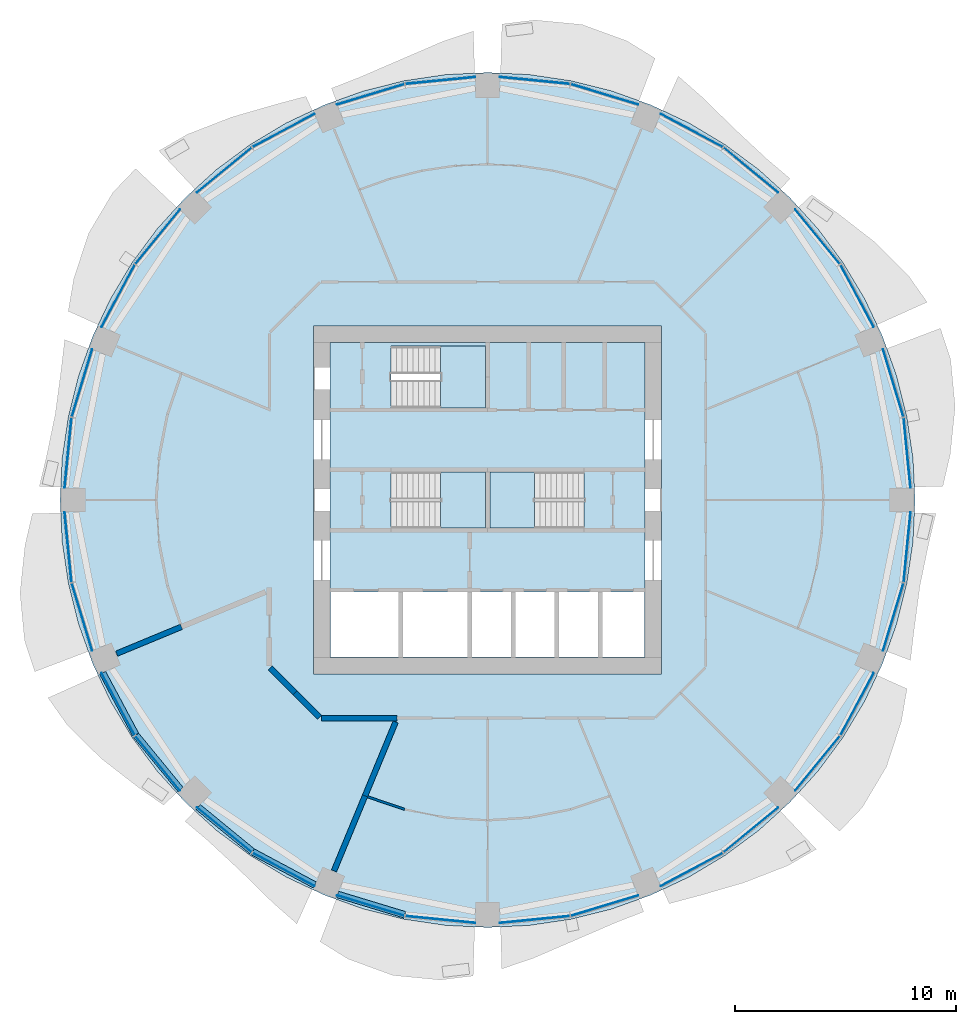
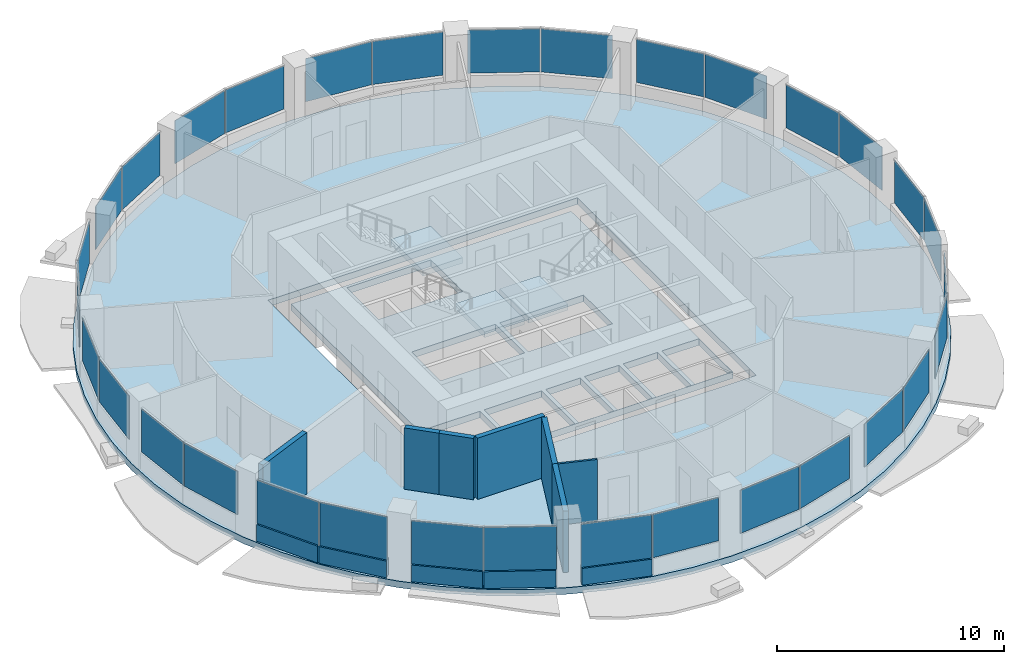
# One storey, part 7 of 15: 32 plates, 12 walls, 5 slabs, 19 elements without a shape of their own.
"""IFC4 building model written with IfcOpenShell, lengths in metres."""

from ifc_helpers import new_model, si_unit, direction, frame, frame_2d, origin, origin_2d, place, context, subcontext, project, spatial, polyline, rectangle, outline, extrude, material, layer, layer_set, type_object, element, aggregate, save


model = new_model("IFC4")

# Units and contexts
model_context = context("Model", 3, precision=1e-05, world=origin(), true_north=direction((0.0, 1.0)))
body_context = subcontext(model_context, "Body", "Model", "MODEL_VIEW")
ifc_project = project(units=[si_unit("LENGTHUNIT", "METRE"), si_unit("AREAUNIT", "SQUARE_METRE"), si_unit("VOLUMEUNIT", "CUBIC_METRE"), si_unit("PLANEANGLEUNIT", "RADIAN"), si_unit("MASSUNIT", "GRAM", prefix="KILO")], contexts=[model_context])

# Site, building, storey
site_placement = place(None, origin())
site = spatial("IfcSite", under=ifc_project, at=site_placement, CompositionType="ELEMENT")
building_placement = place(site_placement, origin())
building = spatial("IfcBuilding", under=site, at=building_placement, Name="Polderwave Tower", CompositionType="ELEMENT")
storey_placement = place(building_placement, frame((0.0, 0.0, 87.35009765625)))
storey = spatial("IfcBuildingStorey", under=building, at=storey_placement, Name="L22", CompositionType="ELEMENT", Elevation=87.35009765625)

# Slab
ifc_material_1 = material(Name="Concrete C40/50", Category="concrete")
ifc_layer_1 = layer(ifc_material_1, 0.35009765625)
ifc_layer_set_1 = layer_set([ifc_layer_1], Name="Core floor slab 350")
slab_type_1 = type_object("IfcSlabType", Name="Core floor slab 350", PredefinedType="FLOOR", material=ifc_layer_set_1)
slab_1_placement = place(storey_placement, frame((0.0, 0.0, -0.35009765625)))
element("IfcSlab", 1, at=slab_1_placement, inside=storey, type_object=slab_type_1, Name="L22 core floor", PredefinedType="FLOOR", context=body_context, shape_type="SweptSolid", body=[
    extrude(outline(polyline([(-7.1240234375, -7.1240234375), (7.1240234375, -7.1240234375), (7.1240234375, 7.1240234375), (-7.1240234375, 7.1240234375), (-7.1240234375, -7.1240234375)]), holes=[polyline([(-7.10400390625, -7.10400390625), (-4.037109375, -7.10400390625), (-4.037109375, -4.174072265625), (-7.10400390625, -4.174072265625), (-7.10400390625, -7.10400390625)]), polyline([(-3.8369140625, -7.10400390625), (-0.89990234375, -7.10400390625), (-0.89990234375, -4.174072265625), (-3.8369140625, -4.174072265625), (-3.8369140625, -7.10400390625)]), polyline([(-0.699951171875, -7.10400390625), (1.068603515625, -7.10400390625), (1.068603515625, -4.174072265625), (-0.699951171875, -4.174072265625), (-0.699951171875, -7.10400390625)]), polyline([(1.2685546875, -7.10400390625), (3.037109375, -7.10400390625), (3.037109375, -4.174072265625), (1.2685546875, -4.174072265625), (1.2685546875, -7.10400390625)]), polyline([(3.237060546875, -7.10400390625), (5.005615234375, -7.10400390625), (5.005615234375, -4.174072265625), (3.237060546875, -4.174072265625), (3.237060546875, -7.10400390625)]), polyline([(5.20556640625, -7.10400390625), (7.10400390625, -7.10400390625), (7.10400390625, -4.174072265625), (5.20556640625, -4.174072265625), (5.20556640625, -7.10400390625)]), polyline([(-4.37353515625, -1.2744140625), (-0.1005859375, -1.2744140625), (-0.1005859375, 1.2744140625), (-4.37353515625, 1.2744140625), (-4.37353515625, -1.2744140625)]), polyline([(0.1005859375, -1.2744140625), (4.37353515625, -1.2744140625), (4.37353515625, 1.2744140625), (0.1005859375, 1.2744140625), (0.1005859375, -1.2744140625)]), polyline([(-4.37353515625, 4.174560546875), (-0.1005859375, 4.174560546875), (-0.1005859375, 6.973388671875), (-4.37353515625, 6.973388671875), (-4.37353515625, 4.174560546875)])]), origin(), (0.0, 0.0, 1.0), 0.35009765625),
])

# Curtain wall, plates
ifc_material_2 = material(Name="Aluminium 6063-T6 and glass", Category="aluminium")
curtain_wall_type = type_object("IfcCurtainWallType", Name="Growing floor ribbon glazing wall", PredefinedType="NOTDEFINED", material=ifc_material_2)
curtain_wall_1_placement = place(storey_placement, origin())
curtain_wall_1 = element("IfcCurtainWall", 2, at=curtain_wall_1_placement, inside=storey, type_object=curtain_wall_type, Name="CW2 L22 00", PredefinedType="NOTDEFINED")
ifc_material_3 = material(Name="Glass, low-e laminated double glazing", Category="glass")
ifc_layer_2 = layer(ifc_material_3, 0.028076171875)
ifc_layer_set_2 = layer_set([ifc_layer_2], Name="Growing floor ribbon glazing glass panel 28 mm")
plate_type = type_object("IfcPlateType", Name="Growing floor ribbon glazing glass panel 28 mm", PredefinedType="CURTAIN_PANEL", material=ifc_layer_set_2)
plate_1_placement = place(storey_placement, frame((18.989990234375, 2.133056640625, 0.89990234375), z_axis=(0.0, 0.0, 1.0), x_axis=(-0.098084880178, 0.995178052552, 0.0)))
plate_1 = element("IfcPlate", 3, at=plate_1_placement, type_object=plate_type, Name="CW2 panel 1", PredefinedType="CURTAIN_PANEL", context=body_context, shape_type="SweptSolid", body=[
    extrude(rectangle(XDim=3.181396484375, YDim=0.028076171875, at=origin_2d()), origin(), (0.0, 0.0, 1.0), 2.320068359375),
])
plate_2_placement = place(storey_placement, frame((18.360595703125, 5.296875, 0.89990234375), z_axis=(0.0, 0.0, 1.0), x_axis=(-0.290232901375, 0.956956040244, 0.0)))
plate_2 = element("IfcPlate", 4, at=plate_2_placement, type_object=plate_type, Name="CW2 panel 2", PredefinedType="CURTAIN_PANEL", context=body_context, shape_type="SweptSolid", body=[
    extrude(rectangle(XDim=3.18115234375, YDim=0.028076171875, at=origin_2d()), origin(), (0.0, 0.0, 1.0), 2.320068359375),
])
aggregate(curtain_wall_1, [plate_1, plate_2])

curtain_wall_2_placement = place(storey_placement, origin())
curtain_wall_2 = element("IfcCurtainWall", 5, at=curtain_wall_2_placement, inside=storey, type_object=curtain_wall_type, Name="CW2 L22 01", PredefinedType="NOTDEFINED")
plate_3_placement = place(storey_placement, frame((16.72802734375, 9.23779296875, 0.89990234375), z_axis=(0.0, 0.0, 1.0), x_axis=(-0.471461383765, 0.881886706793, 0.0)))
plate_3 = element("IfcPlate", 6, at=plate_3_placement, type_object=plate_type, Name="CW2 panel 1", PredefinedType="CURTAIN_PANEL", context=body_context, shape_type="SweptSolid", body=[
    extrude(rectangle(XDim=3.181396484375, YDim=0.028076171875, at=origin_2d()), origin(), (0.0, 0.0, 1.0), 2.320068359375),
])
plate_4_placement = place(storey_placement, frame((14.93603515625, 11.919677734375, 0.89990234375), z_axis=(0.0, 0.0, 1.0), x_axis=(-0.634406775645, 0.772999380993, 0.0)))
plate_4 = element("IfcPlate", 7, at=plate_4_placement, type_object=plate_type, Name="CW2 panel 2", PredefinedType="CURTAIN_PANEL", context=body_context, shape_type="SweptSolid", body=[
    extrude(rectangle(XDim=3.180908203125, YDim=0.028076171875, at=origin_2d()), origin(), (0.0, 0.0, 1.0), 2.320068359375),
])
aggregate(curtain_wall_2, [plate_3, plate_4])

curtain_wall_3_placement = place(storey_placement, origin())
curtain_wall_3 = element("IfcCurtainWall", 8, at=curtain_wall_3_placement, inside=storey, type_object=curtain_wall_type, Name="CW2 L22 02", PredefinedType="NOTDEFINED")
plate_5_placement = place(storey_placement, frame((11.919677734375, 14.93603515625, 0.89990234375), z_axis=(0.0, 0.0, 1.0), x_axis=(-0.772999380993, 0.634406775645, 0.0)))
plate_5 = element("IfcPlate", 9, at=plate_5_placement, type_object=plate_type, Name="CW2 panel 1", PredefinedType="CURTAIN_PANEL", context=body_context, shape_type="SweptSolid", body=[
    extrude(rectangle(XDim=3.180908203125, YDim=0.028076171875, at=origin_2d()), origin(), (0.0, 0.0, 1.0), 2.320068359375),
])
plate_6_placement = place(storey_placement, frame((9.23779296875, 16.72802734375, 0.89990234375), z_axis=(0.0, 0.0, 1.0), x_axis=(-0.881886706793, 0.471461383765, 0.0)))
plate_6 = element("IfcPlate", 10, at=plate_6_placement, type_object=plate_type, Name="CW2 panel 2", PredefinedType="CURTAIN_PANEL", context=body_context, shape_type="SweptSolid", body=[
    extrude(rectangle(XDim=3.181396484375, YDim=0.028076171875, at=origin_2d()), origin(), (0.0, 0.0, 1.0), 2.320068359375),
])
aggregate(curtain_wall_3, [plate_5, plate_6])

curtain_wall_4_placement = place(storey_placement, origin())
curtain_wall_4 = element("IfcCurtainWall", 11, at=curtain_wall_4_placement, inside=storey, type_object=curtain_wall_type, Name="CW2 L22 03", PredefinedType="NOTDEFINED")
plate_7_placement = place(storey_placement, frame((5.296875, 18.360595703125, 0.89990234375), z_axis=(0.0, 0.0, 1.0), x_axis=(-0.956956040244, 0.290232901375, 0.0)))
plate_7 = element("IfcPlate", 12, at=plate_7_placement, type_object=plate_type, Name="CW2 panel 1", PredefinedType="CURTAIN_PANEL", context=body_context, shape_type="SweptSolid", body=[
    extrude(rectangle(XDim=3.18115234375, YDim=0.028076171875, at=origin_2d()), origin(), (0.0, 0.0, 1.0), 2.320068359375),
])
plate_8_placement = place(storey_placement, frame((2.133056640625, 18.989990234375, 0.89990234375), z_axis=(0.0, 0.0, 1.0), x_axis=(-0.995178052552, 0.098084880178, 0.0)))
plate_8 = element("IfcPlate", 13, at=plate_8_placement, type_object=plate_type, Name="CW2 panel 2", PredefinedType="CURTAIN_PANEL", context=body_context, shape_type="SweptSolid", body=[
    extrude(rectangle(XDim=3.181396484375, YDim=0.028076171875, at=origin_2d()), origin(), (0.0, 0.0, 1.0), 2.320068359375),
])
aggregate(curtain_wall_4, [plate_7, plate_8])

curtain_wall_5_placement = place(storey_placement, origin())
curtain_wall_5 = element("IfcCurtainWall", 14, at=curtain_wall_5_placement, inside=storey, type_object=curtain_wall_type, Name="CW2 L22 04", PredefinedType="NOTDEFINED")
plate_9_placement = place(storey_placement, frame((-2.133056640625, 18.989990234375, 0.89990234375), z_axis=(0.0, 0.0, 1.0), x_axis=(-0.995178052552, -0.098084880178, 0.0)))
plate_9 = element("IfcPlate", 15, at=plate_9_placement, type_object=plate_type, Name="CW2 panel 1", PredefinedType="CURTAIN_PANEL", context=body_context, shape_type="SweptSolid", body=[
    extrude(rectangle(XDim=3.181396484375, YDim=0.028076171875, at=origin_2d()), origin(), (0.0, 0.0, 1.0), 2.320068359375),
])
plate_10_placement = place(storey_placement, frame((-5.296875, 18.360595703125, 0.89990234375), z_axis=(0.0, 0.0, 1.0), x_axis=(-0.956956040244, -0.290232901375, 0.0)))
plate_10 = element("IfcPlate", 16, at=plate_10_placement, type_object=plate_type, Name="CW2 panel 2", PredefinedType="CURTAIN_PANEL", context=body_context, shape_type="SweptSolid", body=[
    extrude(rectangle(XDim=3.18115234375, YDim=0.028076171875, at=origin_2d()), origin(), (0.0, 0.0, 1.0), 2.320068359375),
])
aggregate(curtain_wall_5, [plate_9, plate_10])

curtain_wall_6_placement = place(storey_placement, origin())
curtain_wall_6 = element("IfcCurtainWall", 17, at=curtain_wall_6_placement, inside=storey, type_object=curtain_wall_type, Name="CW2 L22 05", PredefinedType="NOTDEFINED")
plate_11_placement = place(storey_placement, frame((-9.23779296875, 16.72802734375, 0.89990234375), z_axis=(0.0, 0.0, 1.0), x_axis=(-0.881886706793, -0.471461383765, 0.0)))
plate_11 = element("IfcPlate", 18, at=plate_11_placement, type_object=plate_type, Name="CW2 panel 1", PredefinedType="CURTAIN_PANEL", context=body_context, shape_type="SweptSolid", body=[
    extrude(rectangle(XDim=3.181396484375, YDim=0.028076171875, at=origin_2d()), origin(), (0.0, 0.0, 1.0), 2.320068359375),
])
plate_12_placement = place(storey_placement, frame((-11.919677734375, 14.93603515625, 0.89990234375), z_axis=(0.0, 0.0, 1.0), x_axis=(-0.772999380993, -0.634406775645, 0.0)))
plate_12 = element("IfcPlate", 19, at=plate_12_placement, type_object=plate_type, Name="CW2 panel 2", PredefinedType="CURTAIN_PANEL", context=body_context, shape_type="SweptSolid", body=[
    extrude(rectangle(XDim=3.180908203125, YDim=0.028076171875, at=origin_2d()), origin(), (0.0, 0.0, 1.0), 2.320068359375),
])
aggregate(curtain_wall_6, [plate_11, plate_12])

curtain_wall_7_placement = place(storey_placement, origin())
curtain_wall_7 = element("IfcCurtainWall", 20, at=curtain_wall_7_placement, inside=storey, type_object=curtain_wall_type, Name="CW2 L22 06", PredefinedType="NOTDEFINED")
plate_13_placement = place(storey_placement, frame((-14.93603515625, 11.919677734375, 0.89990234375), z_axis=(0.0, 0.0, 1.0), x_axis=(-0.634406775645, -0.772999380993, 0.0)))
plate_13 = element("IfcPlate", 21, at=plate_13_placement, type_object=plate_type, Name="CW2 panel 1", PredefinedType="CURTAIN_PANEL", context=body_context, shape_type="SweptSolid", body=[
    extrude(rectangle(XDim=3.180908203125, YDim=0.028076171875, at=origin_2d()), origin(), (0.0, 0.0, 1.0), 2.320068359375),
])
plate_14_placement = place(storey_placement, frame((-16.72802734375, 9.23779296875, 0.89990234375), z_axis=(0.0, 0.0, 1.0), x_axis=(-0.471461383765, -0.881886706793, 0.0)))
plate_14 = element("IfcPlate", 22, at=plate_14_placement, type_object=plate_type, Name="CW2 panel 2", PredefinedType="CURTAIN_PANEL", context=body_context, shape_type="SweptSolid", body=[
    extrude(rectangle(XDim=3.181396484375, YDim=0.028076171875, at=origin_2d()), origin(), (0.0, 0.0, 1.0), 2.320068359375),
])
aggregate(curtain_wall_7, [plate_13, plate_14])

curtain_wall_8_placement = place(storey_placement, origin())
curtain_wall_8 = element("IfcCurtainWall", 23, at=curtain_wall_8_placement, inside=storey, type_object=curtain_wall_type, Name="CW2 L22 07", PredefinedType="NOTDEFINED")
plate_15_placement = place(storey_placement, frame((-18.360595703125, 5.296875, 0.89990234375), z_axis=(0.0, 0.0, 1.0), x_axis=(-0.290232901375, -0.956956040244, 0.0)))
plate_15 = element("IfcPlate", 24, at=plate_15_placement, type_object=plate_type, Name="CW2 panel 1", PredefinedType="CURTAIN_PANEL", context=body_context, shape_type="SweptSolid", body=[
    extrude(rectangle(XDim=3.18115234375, YDim=0.028076171875, at=origin_2d()), origin(), (0.0, 0.0, 1.0), 2.320068359375),
])
plate_16_placement = place(storey_placement, frame((-18.989990234375, 2.133056640625, 0.89990234375), z_axis=(0.0, 0.0, 1.0), x_axis=(-0.098084880178, -0.995178052552, 0.0)))
plate_16 = element("IfcPlate", 25, at=plate_16_placement, type_object=plate_type, Name="CW2 panel 2", PredefinedType="CURTAIN_PANEL", context=body_context, shape_type="SweptSolid", body=[
    extrude(rectangle(XDim=3.181396484375, YDim=0.028076171875, at=origin_2d()), origin(), (0.0, 0.0, 1.0), 2.320068359375),
])
aggregate(curtain_wall_8, [plate_15, plate_16])

curtain_wall_9_placement = place(storey_placement, origin())
curtain_wall_9 = element("IfcCurtainWall", 26, at=curtain_wall_9_placement, inside=storey, type_object=curtain_wall_type, Name="CW2 L22 08", PredefinedType="NOTDEFINED")
plate_17_placement = place(storey_placement, frame((-18.989990234375, -2.133056640625, 0.89990234375), z_axis=(0.0, 0.0, 1.0), x_axis=(0.098084880178, -0.995178052552, 0.0)))
plate_17 = element("IfcPlate", 27, at=plate_17_placement, type_object=plate_type, Name="CW2 panel 1", PredefinedType="CURTAIN_PANEL", context=body_context, shape_type="SweptSolid", body=[
    extrude(rectangle(XDim=3.181396484375, YDim=0.028076171875, at=origin_2d()), origin(), (0.0, 0.0, 1.0), 2.320068359375),
])
plate_18_placement = place(storey_placement, frame((-18.360595703125, -5.296875, 0.89990234375), z_axis=(0.0, 0.0, 1.0), x_axis=(0.290232901375, -0.956956040244, 0.0)))
plate_18 = element("IfcPlate", 28, at=plate_18_placement, type_object=plate_type, Name="CW2 panel 2", PredefinedType="CURTAIN_PANEL", context=body_context, shape_type="SweptSolid", body=[
    extrude(rectangle(XDim=3.18115234375, YDim=0.028076171875, at=origin_2d()), origin(), (0.0, 0.0, 1.0), 2.320068359375),
])
aggregate(curtain_wall_9, [plate_17, plate_18])

curtain_wall_10_placement = place(storey_placement, origin())
curtain_wall_10 = element("IfcCurtainWall", 29, at=curtain_wall_10_placement, inside=storey, type_object=curtain_wall_type, Name="CW2 L22 09", PredefinedType="NOTDEFINED")
plate_19_placement = place(storey_placement, frame((-16.72802734375, -9.23779296875, 0.89990234375), z_axis=(0.0, 0.0, 1.0), x_axis=(0.471461383765, -0.881886706793, 0.0)))
plate_19 = element("IfcPlate", 30, at=plate_19_placement, type_object=plate_type, Name="CW2 panel 1", PredefinedType="CURTAIN_PANEL", context=body_context, shape_type="SweptSolid", body=[
    extrude(rectangle(XDim=3.181396484375, YDim=0.028076171875, at=origin_2d()), origin(), (0.0, 0.0, 1.0), 2.320068359375),
])
plate_20_placement = place(storey_placement, frame((-14.93603515625, -11.919677734375, 0.89990234375), z_axis=(0.0, 0.0, 1.0), x_axis=(0.634406775645, -0.772999380993, 0.0)))
plate_20 = element("IfcPlate", 31, at=plate_20_placement, type_object=plate_type, Name="CW2 panel 2", PredefinedType="CURTAIN_PANEL", context=body_context, shape_type="SweptSolid", body=[
    extrude(rectangle(XDim=3.180908203125, YDim=0.028076171875, at=origin_2d()), origin(), (0.0, 0.0, 1.0), 2.320068359375),
])
aggregate(curtain_wall_10, [plate_19, plate_20])

curtain_wall_11_placement = place(storey_placement, origin())
curtain_wall_11 = element("IfcCurtainWall", 32, at=curtain_wall_11_placement, inside=storey, type_object=curtain_wall_type, Name="CW2 L22 10", PredefinedType="NOTDEFINED")
plate_21_placement = place(storey_placement, frame((-11.919677734375, -14.93603515625, 0.89990234375), z_axis=(0.0, 0.0, 1.0), x_axis=(0.772999380993, -0.634406775645, 0.0)))
plate_21 = element("IfcPlate", 33, at=plate_21_placement, type_object=plate_type, Name="CW2 panel 1", PredefinedType="CURTAIN_PANEL", context=body_context, shape_type="SweptSolid", body=[
    extrude(rectangle(XDim=3.180908203125, YDim=0.028076171875, at=origin_2d()), origin(), (0.0, 0.0, 1.0), 2.320068359375),
])
plate_22_placement = place(storey_placement, frame((-9.23779296875, -16.72802734375, 0.89990234375), z_axis=(0.0, 0.0, 1.0), x_axis=(0.881886706793, -0.471461383765, 0.0)))
plate_22 = element("IfcPlate", 34, at=plate_22_placement, type_object=plate_type, Name="CW2 panel 2", PredefinedType="CURTAIN_PANEL", context=body_context, shape_type="SweptSolid", body=[
    extrude(rectangle(XDim=3.181396484375, YDim=0.028076171875, at=origin_2d()), origin(), (0.0, 0.0, 1.0), 2.320068359375),
])
aggregate(curtain_wall_11, [plate_21, plate_22])

curtain_wall_12_placement = place(storey_placement, origin())
curtain_wall_12 = element("IfcCurtainWall", 35, at=curtain_wall_12_placement, inside=storey, type_object=curtain_wall_type, Name="CW2 L22 11", PredefinedType="NOTDEFINED")
plate_23_placement = place(storey_placement, frame((-5.296875, -18.360595703125, 0.89990234375), z_axis=(0.0, 0.0, 1.0), x_axis=(0.956956040244, -0.290232901375, 0.0)))
plate_23 = element("IfcPlate", 36, at=plate_23_placement, type_object=plate_type, Name="CW2 panel 1", PredefinedType="CURTAIN_PANEL", context=body_context, shape_type="SweptSolid", body=[
    extrude(rectangle(XDim=3.18115234375, YDim=0.028076171875, at=origin_2d()), origin(), (0.0, 0.0, 1.0), 2.320068359375),
])
plate_24_placement = place(storey_placement, frame((-2.133056640625, -18.989990234375, 0.89990234375), z_axis=(0.0, 0.0, 1.0), x_axis=(0.995178052552, -0.098084880178, 0.0)))
plate_24 = element("IfcPlate", 37, at=plate_24_placement, type_object=plate_type, Name="CW2 panel 2", PredefinedType="CURTAIN_PANEL", context=body_context, shape_type="SweptSolid", body=[
    extrude(rectangle(XDim=3.181396484375, YDim=0.028076171875, at=origin_2d()), origin(), (0.0, 0.0, 1.0), 2.320068359375),
])
aggregate(curtain_wall_12, [plate_23, plate_24])

curtain_wall_13_placement = place(storey_placement, origin())
curtain_wall_13 = element("IfcCurtainWall", 38, at=curtain_wall_13_placement, inside=storey, type_object=curtain_wall_type, Name="CW2 L22 12", PredefinedType="NOTDEFINED")
plate_25_placement = place(storey_placement, frame((2.133056640625, -18.989990234375, 0.89990234375), z_axis=(0.0, 0.0, 1.0), x_axis=(0.995178052552, 0.098084880178, 0.0)))
plate_25 = element("IfcPlate", 39, at=plate_25_placement, type_object=plate_type, Name="CW2 panel 1", PredefinedType="CURTAIN_PANEL", context=body_context, shape_type="SweptSolid", body=[
    extrude(rectangle(XDim=3.181396484375, YDim=0.028076171875, at=origin_2d()), origin(), (0.0, 0.0, 1.0), 2.320068359375),
])
plate_26_placement = place(storey_placement, frame((5.296875, -18.360595703125, 0.89990234375), z_axis=(0.0, 0.0, 1.0), x_axis=(0.956956040244, 0.290232901375, 0.0)))
plate_26 = element("IfcPlate", 40, at=plate_26_placement, type_object=plate_type, Name="CW2 panel 2", PredefinedType="CURTAIN_PANEL", context=body_context, shape_type="SweptSolid", body=[
    extrude(rectangle(XDim=3.18115234375, YDim=0.028076171875, at=origin_2d()), origin(), (0.0, 0.0, 1.0), 2.320068359375),
])
aggregate(curtain_wall_13, [plate_25, plate_26])

curtain_wall_14_placement = place(storey_placement, origin())
curtain_wall_14 = element("IfcCurtainWall", 41, at=curtain_wall_14_placement, inside=storey, type_object=curtain_wall_type, Name="CW2 L22 13", PredefinedType="NOTDEFINED")
plate_27_placement = place(storey_placement, frame((9.23779296875, -16.72802734375, 0.89990234375), z_axis=(0.0, 0.0, 1.0), x_axis=(0.881886706793, 0.471461383765, 0.0)))
plate_27 = element("IfcPlate", 42, at=plate_27_placement, type_object=plate_type, Name="CW2 panel 1", PredefinedType="CURTAIN_PANEL", context=body_context, shape_type="SweptSolid", body=[
    extrude(rectangle(XDim=3.181396484375, YDim=0.028076171875, at=origin_2d()), origin(), (0.0, 0.0, 1.0), 2.320068359375),
])
plate_28_placement = place(storey_placement, frame((11.919677734375, -14.93603515625, 0.89990234375), z_axis=(0.0, 0.0, 1.0), x_axis=(0.772999380993, 0.634406775645, 0.0)))
plate_28 = element("IfcPlate", 43, at=plate_28_placement, type_object=plate_type, Name="CW2 panel 2", PredefinedType="CURTAIN_PANEL", context=body_context, shape_type="SweptSolid", body=[
    extrude(rectangle(XDim=3.180908203125, YDim=0.028076171875, at=origin_2d()), origin(), (0.0, 0.0, 1.0), 2.320068359375),
])
aggregate(curtain_wall_14, [plate_27, plate_28])

curtain_wall_15_placement = place(storey_placement, origin())
curtain_wall_15 = element("IfcCurtainWall", 44, at=curtain_wall_15_placement, inside=storey, type_object=curtain_wall_type, Name="CW2 L22 14", PredefinedType="NOTDEFINED")
plate_29_placement = place(storey_placement, frame((14.93603515625, -11.919677734375, 0.89990234375), z_axis=(0.0, 0.0, 1.0), x_axis=(0.634406775645, 0.772999380993, 0.0)))
plate_29 = element("IfcPlate", 45, at=plate_29_placement, type_object=plate_type, Name="CW2 panel 1", PredefinedType="CURTAIN_PANEL", context=body_context, shape_type="SweptSolid", body=[
    extrude(rectangle(XDim=3.180908203125, YDim=0.028076171875, at=origin_2d()), origin(), (0.0, 0.0, 1.0), 2.320068359375),
])
plate_30_placement = place(storey_placement, frame((16.72802734375, -9.23779296875, 0.89990234375), z_axis=(0.0, 0.0, 1.0), x_axis=(0.471461383765, 0.881886706793, 0.0)))
plate_30 = element("IfcPlate", 46, at=plate_30_placement, type_object=plate_type, Name="CW2 panel 2", PredefinedType="CURTAIN_PANEL", context=body_context, shape_type="SweptSolid", body=[
    extrude(rectangle(XDim=3.181396484375, YDim=0.028076171875, at=origin_2d()), origin(), (0.0, 0.0, 1.0), 2.320068359375),
])
aggregate(curtain_wall_15, [plate_29, plate_30])

curtain_wall_16_placement = place(storey_placement, origin())
curtain_wall_16 = element("IfcCurtainWall", 47, at=curtain_wall_16_placement, inside=storey, type_object=curtain_wall_type, Name="CW2 L22 15", PredefinedType="NOTDEFINED")
plate_31_placement = place(storey_placement, frame((18.360595703125, -5.296875, 0.89990234375), z_axis=(0.0, 0.0, 1.0), x_axis=(0.290232901375, 0.956956040244, 0.0)))
plate_31 = element("IfcPlate", 48, at=plate_31_placement, type_object=plate_type, Name="CW2 panel 1", PredefinedType="CURTAIN_PANEL", context=body_context, shape_type="SweptSolid", body=[
    extrude(rectangle(XDim=3.18115234375, YDim=0.028076171875, at=origin_2d()), origin(), (0.0, 0.0, 1.0), 2.320068359375),
])
plate_32_placement = place(storey_placement, frame((18.989990234375, -2.133056640625, 0.89990234375), z_axis=(0.0, 0.0, 1.0), x_axis=(0.098084880178, 0.995178052552, 0.0)))
plate_32 = element("IfcPlate", 49, at=plate_32_placement, type_object=plate_type, Name="CW2 panel 2", PredefinedType="CURTAIN_PANEL", context=body_context, shape_type="SweptSolid", body=[
    extrude(rectangle(XDim=3.181396484375, YDim=0.028076171875, at=origin_2d()), origin(), (0.0, 0.0, 1.0), 2.320068359375),
])
aggregate(curtain_wall_16, [plate_31, plate_32])

# Slab
ifc_layer_3 = layer(ifc_material_1, 0.35009765625)
ifc_layer_set_3 = layer_set([ifc_layer_3], Name="PT FLOOR SLAB 350 C40/50")
slab_type_2 = type_object("IfcSlabType", Name="PT FLOOR SLAB 350 C40/50", PredefinedType="FLOOR", material=ifc_layer_set_3)
slab_2_placement = place(storey_placement, frame((0.0, 0.0, -0.35009765625)))
element("IfcSlab", 50, at=slab_2_placement, inside=storey, type_object=slab_type_2, Name="ST-SLAB-L22", PredefinedType="FLOOR", context=body_context, shape_type="SweptSolid", body=[
    extrude(outline(polyline([(19.35009765625, 0.0), (19.2568359375, 1.896484375), (18.978271484375, 3.77490234375), (18.516845703125, 5.616943359375), (17.877197265625, 7.40478515625), (17.065185546875, 9.12158203125), (16.0888671875, 10.750244140625), (14.957763671875, 12.275390625), (13.6826171875, 13.6826171875), (12.275390625, 14.957763671875), (10.750244140625, 16.0888671875), (9.12158203125, 17.065185546875), (7.40478515625, 17.877197265625), (5.616943359375, 18.516845703125), (3.77490234375, 18.978271484375), (1.896484375, 19.2568359375), (0.0, 19.35009765625), (-1.896484375, 19.2568359375), (-3.77490234375, 18.978271484375), (-5.616943359375, 18.516845703125), (-7.40478515625, 17.877197265625), (-9.12158203125, 17.065185546875), (-10.750244140625, 16.0888671875), (-12.275390625, 14.957763671875), (-13.6826171875, 13.6826171875), (-14.957763671875, 12.275390625), (-16.0888671875, 10.750244140625), (-17.065185546875, 9.12158203125), (-17.877197265625, 7.40478515625), (-18.516845703125, 5.616943359375), (-18.978271484375, 3.77490234375), (-19.2568359375, 1.896484375), (-19.35009765625, 0.0), (-19.2568359375, -1.896484375), (-18.978271484375, -3.77490234375), (-18.516845703125, -5.616943359375), (-17.877197265625, -7.40478515625), (-17.065185546875, -9.12158203125), (-16.0888671875, -10.750244140625), (-14.957763671875, -12.275390625), (-13.6826171875, -13.6826171875), (-12.275390625, -14.957763671875), (-10.750244140625, -16.0888671875), (-9.12158203125, -17.065185546875), (-7.40478515625, -17.877197265625), (-5.616943359375, -18.516845703125), (-3.77490234375, -18.978271484375), (-1.896484375, -19.2568359375), (0.0, -19.35009765625), (1.896484375, -19.2568359375), (3.77490234375, -18.978271484375), (5.616943359375, -18.516845703125), (7.40478515625, -17.877197265625), (9.12158203125, -17.065185546875), (10.750244140625, -16.0888671875), (12.275390625, -14.957763671875), (13.6826171875, -13.6826171875), (14.957763671875, -12.275390625), (16.0888671875, -10.750244140625), (17.065185546875, -9.12158203125), (17.877197265625, -7.40478515625), (18.516845703125, -5.616943359375), (18.978271484375, -3.77490234375), (19.2568359375, -1.896484375), (19.35009765625, 0.0)]), holes=[polyline([(-7.8740234375, -7.8740234375), (7.8740234375, -7.8740234375), (7.8740234375, 7.8740234375), (-7.8740234375, 7.8740234375), (-7.8740234375, -7.8740234375)])]), origin(), (0.0, 0.0, 1.0), 0.35009765625),
])

# Stair, slab
stair_type = type_object("IfcStairType", Name="Exit stair 1200 x 20 risers", PredefinedType="HALF_TURN_STAIR", material=ifc_material_1)
stair_1_placement = place(storey_placement, origin())
stair_1 = element("IfcStair", 51, at=stair_1_placement, inside=storey, type_object=stair_type, Name="L22 Exit stair A", PredefinedType="HALF_TURN_STAIR")
ifc_layer_4 = layer(ifc_material_1, 0.300048828125)
ifc_layer_set_4 = layer_set([ifc_layer_4], Name="Stair landing 300")
slab_type_3 = type_object("IfcSlabType", Name="Stair landing 300", PredefinedType="LANDING", material=ifc_layer_set_4)
slab_3_placement = place(storey_placement, frame((0.0, 0.0, 1.52490234375)))
slab_3 = element("IfcSlab", 52, at=slab_3_placement, type_object=slab_type_3, Name="ST-A landing 1", PredefinedType="LANDING", context=body_context, shape_type="SweptSolid", body=[
    extrude(outline(polyline([(-2.1240234375, -1.27490234375), (-0.10009765625, -1.27490234375), (-0.10009765625, 1.27490234375), (-2.1240234375, 1.27490234375), (-2.1240234375, -1.27490234375)])), origin(), (0.0, 0.0, 1.0), 0.300048828125),
])
aggregate(stair_1, [slab_3])

stair_2_placement = place(storey_placement, origin())
stair_2 = element("IfcStair", 53, at=stair_2_placement, inside=storey, type_object=stair_type, Name="L22 Exit stair B", PredefinedType="HALF_TURN_STAIR")
slab_4_placement = place(storey_placement, frame((0.0, 0.0, 1.52490234375)))
slab_4 = element("IfcSlab", 54, at=slab_4_placement, type_object=slab_type_3, Name="ST-B landing 1", PredefinedType="LANDING", context=body_context, shape_type="SweptSolid", body=[
    extrude(outline(polyline([(2.1240234375, 1.27490234375), (0.10009765625, 1.27490234375), (0.10009765625, -1.27490234375), (2.1240234375, -1.27490234375), (2.1240234375, 1.27490234375)])), origin(), (0.0, 0.0, 1.0), 0.300048828125),
])
aggregate(stair_2, [slab_4])

stair_3_placement = place(storey_placement, origin())
stair_3 = element("IfcStair", 55, at=stair_3_placement, inside=storey, type_object=stair_type, Name="L22 Exit stair C", PredefinedType="HALF_TURN_STAIR")
slab_5_placement = place(storey_placement, frame((0.0, 0.0, 1.52490234375)))
slab_5 = element("IfcSlab", 56, at=slab_5_placement, type_object=slab_type_3, Name="ST-C landing 1", PredefinedType="LANDING", context=body_context, shape_type="SweptSolid", body=[
    extrude(outline(polyline([(-2.1240234375, 4.174072265625), (-0.10009765625, 4.174072265625), (-0.10009765625, 6.97412109375), (-2.1240234375, 6.97412109375), (-2.1240234375, 4.174072265625)])), origin(), (0.0, 0.0, 1.0), 0.300048828125),
])
aggregate(stair_3, [slab_5])

# Walls
ifc_material_4 = material(Name="Concrete C50/60 (board-marked)", Category="concrete")
ifc_layer_5 = layer(ifc_material_4, 0.300048828125)
ifc_layer_set_5 = layer_set([ifc_layer_5], Name="Concrete spandrel upstand C50/60")
wall_type_1 = type_object("IfcWallType", Name="Concrete spandrel upstand C50/60", PredefinedType="SOLIDWALL", material=ifc_layer_set_5)
wall_1_placement = place(storey_placement, frame((-17.4248046875, -7.828125, 0.0), z_axis=(0.0, 0.0, 1.0), x_axis=(0.471458802606, -0.88188808669, 0.0)))
element("IfcWall", 57, at=wall_1_placement, inside=storey, type_object=wall_type_1, Name="Spandrel L22 10a", PredefinedType="SOLIDWALL", context=body_context, shape_type="SweptSolid", body=[
    extrude(rectangle(XDim=3.17236328125, YDim=0.300048828125, at=frame_2d((1.586181640625, 0.0))), origin(), (0.0, 0.0, 1.0), 0.89990234375),
])
for number, where, z_axis, x_axis, name in (
    (58, (-15.91259765625, -10.650634765625, 0.0), (0.0, 0.0, 1.0), (0.634238779555, -0.773137226182, 0.0), "Spandrel L22 10b"),
    (59, (-13.103515625, -13.900390625, 0.0), (0.0, 0.0, 1.0), (0.773137226182, -0.634238779555, 0.0), "Spandrel L22 11a"),
):
    element("IfcWall", number, at=place(storey_placement, frame(where, z_axis=z_axis, x_axis=x_axis)), inside=storey, type_object=wall_type_1, Name=name, PredefinedType="SOLIDWALL", context=body_context, shape_type="SweptSolid", body=[
        extrude(rectangle(XDim=3.172607421875, YDim=0.300048828125, at=frame_2d((1.58642578125, 0.0))), origin(), (0.0, 0.0, 1.0), 0.89990234375),
    ])
wall_2_placement = place(storey_placement, frame((-10.625732421875, -15.92919921875, 0.0), z_axis=(0.0, 0.0, 1.0), x_axis=(0.88188808669, -0.471458802606, 0.0)))
element("IfcWall", 60, at=wall_2_placement, inside=storey, type_object=wall_type_1, Name="Spandrel L22 11b", PredefinedType="SOLIDWALL", context=body_context, shape_type="SweptSolid", body=[
    extrude(rectangle(XDim=3.17236328125, YDim=0.300048828125, at=frame_2d((1.586181640625, 0.0))), origin(), (0.0, 0.0, 1.0), 0.89990234375),
])
wall_3_placement = place(storey_placement, frame((-6.78662109375, -17.8564453125, 0.0), z_axis=(0.0, 0.0, 1.0), x_axis=(0.956927923582, -0.290325591482, 0.0)))
element("IfcWall", 61, at=wall_3_placement, inside=storey, type_object=wall_type_1, Name="Spandrel L22 12a", PredefinedType="SOLIDWALL", context=body_context, shape_type="SweptSolid", body=[
    extrude(rectangle(XDim=3.1728515625, YDim=0.300048828125, at=frame_2d((1.58642578125, 0.0))), origin(), (0.0, 0.0, 1.0), 0.89990234375),
])
ifc_material_5 = material(Name="Plasterboard on steel studs", Category="steel")
ifc_layer_6 = layer(ifc_material_5, 0.10009765625)
ifc_layer_set_6 = layer_set([ifc_layer_6], Name="Partition 100 mm plasterboard on steel studs")
wall_type_2 = type_object("IfcWallType", Name="Partition 100 mm plasterboard on steel studs", PredefinedType="PARTITIONING", material=ifc_layer_set_6)
wall_4_placement = place(storey_placement, frame((-3.756103515625, -14.0048828125, 0.0), z_axis=(0.0, 0.0, 1.0), x_axis=(-0.946911786272, 0.321493497633, 0.0)))
element("IfcWall", 62, at=wall_4_placement, inside=storey, type_object=wall_type_2, Name="IN-L22-W057", PredefinedType="PARTITIONING", context=body_context, shape_type="SweptSolid", body=[
    extrude(rectangle(XDim=1.764892578125, YDim=0.10009765625, at=frame_2d((0.88232421875, 0.0))), origin(), (0.0, 0.0, 1.0), 3.2998046875),
])
ifc_material_6 = material(Name="Fire-resisting board on steel studs, mineral wool", Category="steel")
ifc_layer_7 = layer(ifc_material_6, 0.25)
ifc_layer_set_7 = layer_set([ifc_layer_7], Name="Plant room wall 250 mm EI 120")
wall_type_3 = type_object("IfcWallType", Name="Plant room wall 250 mm EI 120", PredefinedType="PARTITIONING", material=ifc_layer_set_7)
for number, where, z_axis, x_axis, name in (
    (63, (-8.722412109375, -8.722412109375, 0.0), (0.0, 0.0, 1.0), (-0.707184200224, 0.707029353672, 0.0), "IN-L22-W015"),
    (64, (-7.607666015625, -9.83740234375, 0.0), (0.0, 0.0, 1.0), (-0.707029353672, 0.707184200224, 0.0), "IN-L22-W016"),
):
    element("IfcWall", number, at=place(storey_placement, frame(where, z_axis=z_axis, x_axis=x_axis)), inside=storey, type_object=wall_type_3, Name=name, PredefinedType="PARTITIONING", context=body_context, shape_type="SweptSolid", body=[
        extrude(rectangle(XDim=1.57666015625, YDim=0.25, at=frame_2d((0.788330078125, 0.0))), origin(), (0.0, 0.0, 1.0), 3.2998046875),
    ])
wall_5_placement = place(storey_placement, frame((-4.08984375, -9.8740234375, 0.0), z_axis=(0.0, 0.0, 1.0), x_axis=(-1.0, 0.0, 0.0)))
element("IfcWall", 65, at=wall_5_placement, inside=storey, type_object=wall_type_3, Name="IN-L22-W017", PredefinedType="PARTITIONING", context=body_context, shape_type="SweptSolid", body=[
    extrude(rectangle(XDim=3.429443359375, YDim=0.25, at=frame_2d((1.71484375, 0.0))), origin(), (0.0, 0.0, 1.0), 3.2998046875),
])
wall_6_placement = place(storey_placement, frame((-13.858154296875, -5.740234375, 0.0), z_axis=(0.0, 0.0, 1.0), x_axis=(-0.923876970079, -0.382689618566, 0.0)))
element("IfcWall", 66, at=wall_6_placement, inside=storey, type_object=wall_type_3, Name="IN-L22-W054", PredefinedType="PARTITIONING", context=body_context, shape_type="SweptSolid", body=[
    extrude(rectangle(XDim=3.169921875, YDim=0.25, at=frame_2d((1.5849609375, 0.0))), origin(), (0.0, 0.0, 1.0), 3.2998046875),
])
wall_7_placement = place(storey_placement, frame((-4.16162109375, -10.046875, 0.0), z_axis=(0.0, 0.0, 1.0), x_axis=(-0.382649180879, -0.923893719197, 0.0)))
element("IfcWall", 67, at=wall_7_placement, inside=storey, type_object=wall_type_3, Name="IN-L22-W055", PredefinedType="PARTITIONING", context=body_context, shape_type="SweptSolid", body=[
    extrude(rectangle(XDim=3.625244140625, YDim=0.25, at=frame_2d((1.8125, 0.0))), origin(), (0.0, 0.0, 1.0), 3.2998046875),
])
wall_8_placement = place(storey_placement, frame((-5.548828125, -13.396240234375, 0.0), z_axis=(0.0, 0.0, 1.0), x_axis=(-0.382706260748, -0.923870076355, 0.0)))
element("IfcWall", 68, at=wall_8_placement, inside=storey, type_object=wall_type_3, Name="IN-L22-W056", PredefinedType="PARTITIONING", context=body_context, shape_type="SweptSolid", body=[
    extrude(rectangle(XDim=3.669921875, YDim=0.25, at=frame_2d((1.8349609375, 0.0))), origin(), (0.0, 0.0, 1.0), 3.2998046875),
])

save(model, "model.ifc")
